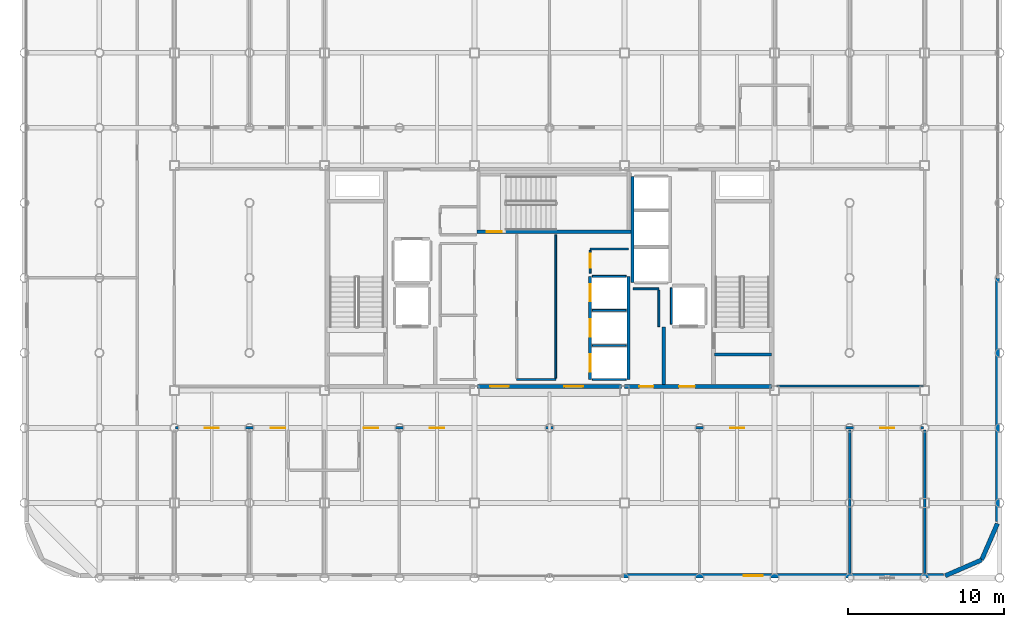
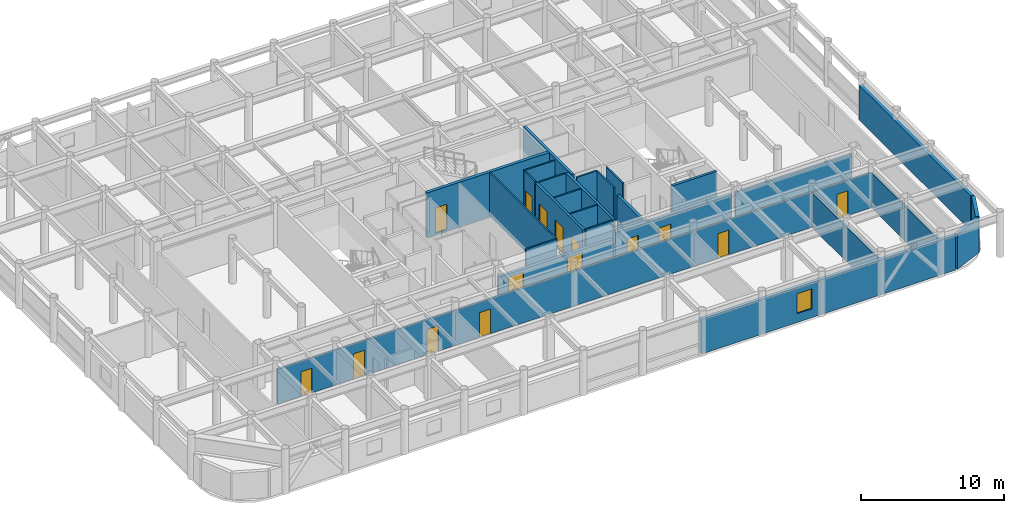
# One storey, part 19 of 22: 27 walls, 15 doors, 1 window, 16 openings.
"""IFC4 building model written with IfcOpenShell, lengths in metres."""

import ifcopenshell
import ifcopenshell.guid

model = None  # the IFC model being written
_history = None  # IfcOwnerHistory: only IFC2X3 demands one
_inside = {}  # id of a spatial element -> (the spatial element, [elements in it])
_under = {}  # id of a project, library or spatial element -> (it, [spatial elements below it])
_declared = {}  # id of a project -> (the project, [libraries it declares])
_typed = {}  # id of a type object -> (the type object, [elements of that type])
_made_of = {}  # id of a material, layer set ... -> (it, [elements and type objects made of it])


def new_model(schema):
    """Start an empty IFC model of exactly this schema.

    Asked for "IFC4X3", IfcOpenShell would pick the latest addendum, in which some entities
    have other attributes; the version numbers below select the first issue.
    IFC2X3 requires an IfcOwnerHistory on every rooted entity: one is made here for all.
    """
    global model, _history
    if schema == "IFC4X3":
        model = ifcopenshell.file(schema_version=(4, 3, 0, 0))
    else:
        model = ifcopenshell.file(schema=schema)
    _inside.clear()
    _under.clear()
    _declared.clear()
    _typed.clear()
    _made_of.clear()
    _history = None
    if model.schema == "IFC2X3":
        org = make("IfcOrganization", Name="unknown")
        user = make(
            "IfcPersonAndOrganization",
            ThePerson=make("IfcPerson", FamilyName="unknown"),
            TheOrganization=org,
        )
        app = make(
            "IfcApplication",
            ApplicationDeveloper=org,
            Version="unknown",
            ApplicationFullName="unknown",
            ApplicationIdentifier="unknown",
        )
        _history = make(
            "IfcOwnerHistory",
            OwningUser=user,
            OwningApplication=app,
            ChangeAction="ADDED",
            CreationDate=0,
        )
    return model


def make(cls, **values):
    """One entity of the class cls with the attributes given. An attribute that is None is left unset."""
    return model.create_entity(
        cls, **{name: value for name, value in values.items() if value is not None}
    )


def rooted(cls, **values):
    """An entity with a GlobalId (a new one), such as an element, a storey or a relation."""
    return make(cls, GlobalId=ifcopenshell.guid.new(), OwnerHistory=_history, **values)


def si_unit(unit_type, name, prefix=None):
    """IfcSIUnit, for example si_unit("LENGTHUNIT", "METRE", prefix="MILLI")."""
    return make("IfcSIUnit", UnitType=unit_type, Prefix=prefix, Name=name)


def assignment(units):
    """IfcUnitAssignment: the units of a project."""
    return None if units is None else make("IfcUnitAssignment", Units=units)


def point(xyz):
    """IfcCartesianPoint."""
    return None if xyz is None else make("IfcCartesianPoint", Coordinates=xyz)


def direction(xyz):
    """IfcDirection."""
    return None if xyz is None else make("IfcDirection", DirectionRatios=xyz)


def frame(location, z_axis=None, x_axis=None):
    """IfcAxis2Placement3D, a coordinate frame: its origin and axes. An axis left out is left unset."""
    return make(
        "IfcAxis2Placement3D",
        Location=point(location),
        Axis=direction(z_axis),
        RefDirection=direction(x_axis),
    )


def frame_2d(location, x_axis=None):
    """IfcAxis2Placement2D, a coordinate frame in the plane: its origin and x axis."""
    return make(
        "IfcAxis2Placement2D", Location=point(location), RefDirection=direction(x_axis)
    )


def origin():
    """The frame at (0, 0, 0) with its axes left unset."""
    return frame((0.0, 0.0, 0.0))


def place(relative_to, where):
    """IfcLocalPlacement: puts the frame where relative to a parent placement (None: the world)."""
    return make(
        "IfcLocalPlacement", PlacementRelTo=relative_to, RelativePlacement=where
    )


def context(
    kind, dimensions, precision=None, world=None, true_north=None, identifier=None
):
    """IfcGeometricRepresentationContext, for example the 3D "Model" context."""
    return make(
        "IfcGeometricRepresentationContext",
        ContextIdentifier=identifier,
        ContextType=kind,
        CoordinateSpaceDimension=dimensions,
        Precision=precision,
        WorldCoordinateSystem=world,
        TrueNorth=true_north,
    )


def subcontext(parent, identifier, kind, view, scale=None):
    """IfcGeometricRepresentationSubContext, for example "Body" below "Model"."""
    return make(
        "IfcGeometricRepresentationSubContext",
        ContextIdentifier=identifier,
        ContextType=kind,
        ParentContext=parent,
        TargetScale=scale,
        TargetView=view,
    )


def project(units=None, contexts=None):
    """IfcProject with its units and contexts."""
    return rooted(
        "IfcProject",
        Name="project",
        RepresentationContexts=contexts,
        UnitsInContext=assignment(units),
    )


def spatial(cls, under=None, at=None, **own):
    """A site, building, storey or space (cls), placed at a placement, below another one or the project."""
    s = rooted(cls, ObjectPlacement=at, **own)
    if under is not None:
        _under.setdefault(under.id(), (under, []))[1].append(s)
    return s


def profile(cls, at=None, kind="AREA", **sizes):
    """A parametric profile (cls). Its sizes go by their IFC names, for example OverallWidth=200.0."""
    return make(cls, ProfileType=kind, Position=at, **sizes)


def rectangle(**sizes):
    """IfcRectangleProfileDef."""
    return profile("IfcRectangleProfileDef", **sizes)


def extrude(swept, where, along, depth):
    """IfcExtrudedAreaSolid: the profile swept, set in the frame where, extruded along a direction by depth."""
    return make(
        "IfcExtrudedAreaSolid",
        SweptArea=swept,
        Position=where,
        ExtrudedDirection=direction(along),
        Depth=depth,
    )


def shape(context_of_items, identifier, shape_type, items):
    """IfcShapeRepresentation: the items that make up one representation, for example the "Body"."""
    return make(
        "IfcShapeRepresentation",
        ContextOfItems=context_of_items,
        RepresentationIdentifier=identifier,
        RepresentationType=shape_type,
        Items=items,
    )


def material(Name=None, Category=None):
    """IfcMaterial."""
    return make("IfcMaterial", Name=Name, Category=Category)


def layer(
    of_material, thickness, ventilated=None, Name=None, Category=None, Priority=None
):
    """IfcMaterialLayer: one layer of a wall or slab, of a material (None: an air gap)."""
    return make(
        "IfcMaterialLayer",
        Material=of_material,
        LayerThickness=thickness,
        IsVentilated=ventilated,
        Name=Name,
        Category=Category,
        Priority=Priority,
    )


def layer_set(layers, Name=None):
    """IfcMaterialLayerSet."""
    return make("IfcMaterialLayerSet", MaterialLayers=layers, LayerSetName=Name)


def made_of(thing, what):
    """Note that an element or type object is made of a material, layer set ...; save() writes the relation."""
    if what is not None:
        _made_of.setdefault(what.id(), (what, []))[1].append(thing)
    return thing


def type_object(cls, material=None, **own):
    """A type object (cls), such as IfcWallType, which elements share."""
    return made_of(rooted(cls, **own), material)


def element(
    cls,
    number,
    at=None,
    inside=None,
    cuts=None,
    type_object=None,
    material=None,
    context=None,
    identifier="Body",
    shape_type=None,
    held_by="IfcProductDefinitionShape",
    body=None,
    shapes=None,
    **own,
):
    """One element of the class cls, such as IfcWall. Its Tag is "e" and its number.

    at: its placement. inside: the storey or other place that contains it. cuts: it is an
    opening in that element (IfcRelVoidsElement). A single representation is given by context,
    identifier, shape_type and body (its items); several are given by shapes. held_by: the class
    of the entity that holds the representations. save() writes the other relations.
    """
    e = rooted(cls, Tag="e%d" % number, ObjectPlacement=at, **own)
    if body is not None:
        shapes = [shape(context, identifier, shape_type, body)]
    if shapes is not None:
        e.Representation = make(held_by, Representations=shapes)
    if inside is not None:
        _inside.setdefault(inside.id(), (inside, []))[1].append(e)
    if cuts is not None:
        rooted(
            "IfcRelVoidsElement", RelatingBuildingElement=cuts, RelatedOpeningElement=e
        )
    if type_object is not None:
        _typed.setdefault(type_object.id(), (type_object, []))[1].append(e)
    return made_of(e, material)


def fill(opening, filler):
    """IfcRelFillsElement: the door or window that sits in an opening."""
    return rooted(
        "IfcRelFillsElement",
        RelatingOpeningElement=opening,
        RelatedBuildingElement=filler,
    )


def aggregate(whole, parts):
    """IfcRelAggregates: a whole, such as a stair, and the parts it consists of."""
    return rooted("IfcRelAggregates", RelatingObject=whole, RelatedObjects=parts)


def save(model, path):
    """Write the relations noted so far, then the file.

    IfcRelAggregates (storeys below a building ...), IfcRelContainedInSpatialStructure (elements
    in a storey), IfcRelDefinesByType, IfcRelAssociatesMaterial and IfcRelDeclares: one each for
    every whole, place, type object, material and project.
    """
    for whole, parts in _under.values():
        aggregate(whole, parts)
    for where, things in _inside.values():
        rooted(
            "IfcRelContainedInSpatialStructure",
            RelatedElements=things,
            RelatingStructure=where,
        )
    for kind, things in _typed.values():
        rooted("IfcRelDefinesByType", RelatedObjects=things, RelatingType=kind)
    for what, things in _made_of.values():
        rooted("IfcRelAssociatesMaterial", RelatedObjects=things, RelatingMaterial=what)
    for by, libraries in _declared.values():
        rooted("IfcRelDeclares", RelatingContext=by, RelatedDefinitions=libraries)
    model.write(path)


model = new_model("IFC4")

# Units and contexts
model_context = context("Model", 3, precision=1e-05, world=origin(), true_north=direction((0.0, 1.0)))
body_context = subcontext(model_context, "Body", "Model", "MODEL_VIEW")
ifc_project = project(units=[si_unit("LENGTHUNIT", "METRE"), si_unit("AREAUNIT", "SQUARE_METRE"), si_unit("VOLUMEUNIT", "CUBIC_METRE"), si_unit("PLANEANGLEUNIT", "RADIAN"), si_unit("MASSUNIT", "GRAM", prefix="KILO")], contexts=[model_context])

# Site, building, storey
site_placement = place(None, origin())
site = spatial("IfcSite", under=ifc_project, at=site_placement, CompositionType="ELEMENT")
building_placement = place(site_placement, origin())
building = spatial("IfcBuilding", under=site, at=building_placement, Name="Kallvorn Hotel Tower", CompositionType="ELEMENT")
storey_placement = place(building_placement, frame((0.0, 0.0, 260.800048828125)))
storey = spatial("IfcBuildingStorey", under=building, at=storey_placement, Name="L65", CompositionType="ELEMENT", Elevation=260.800048828125)

# Wall, openings, doors
ifc_material_1 = material(Name="Fire-rated double-layer acoustic gypsum drywall EI 60")
ifc_layer_1 = layer(ifc_material_1, 0.159912109375)
ifc_layer_set_1 = layer_set([ifc_layer_1], Name="WL_DEMISE_160")
wall_type_1 = type_object("IfcWallType", Name="WL_DEMISE_160", PredefinedType="PARTITIONING", material=ifc_layer_set_1)
wall_1_placement = place(storey_placement, frame((-23.919921875, -9.60009765625, 0.0), z_axis=(0.0, 0.0, 1.0), x_axis=(1.0, 0.0, 0.0)))
wall_1 = element("IfcWall", 1, at=wall_1_placement, inside=storey, type_object=wall_type_1, Name="L65 Suite 6501 Superior Twin Room Partition", PredefinedType="PARTITIONING", context=body_context, shape_type="SweptSolid", body=[
    extrude(rectangle(XDim=47.83984375, YDim=0.159912109375, at=frame_2d((23.919921875, 0.0))), origin(), (0.0, 0.0, 1.0), 2.969970703125),
])
opening_1_placement = place(wall_1_placement, frame((1.8701171875, 0.0, 0.0)))
opening_1 = element("IfcOpeningElement", 2, at=opening_1_placement, cuts=wall_1, Name="Opening SVD1", PredefinedType="OPENING", context=body_context, shape_type="SweptSolid", body=[
    extrude(rectangle(XDim=0.89990234375, YDim=2.10009765625, at=frame_2d((0.449951171875, 1.050048828125))), frame((0.0, 0.094970703125, 0.0), z_axis=(0.0, -1.0, 0.0), x_axis=(1.0, 0.0, 0.0)), (0.0, 0.0, 1.0), 0.18994140625),
])
opening_2_placement = place(wall_1_placement, frame((45.070068359375, 0.0, 0.0)))
opening_2 = element("IfcOpeningElement", 3, at=opening_2_placement, cuts=wall_1, Name="Opening SVD1", PredefinedType="OPENING", context=body_context, shape_type="SweptSolid", body=[
    extrude(rectangle(XDim=0.89990234375, YDim=2.10009765625, at=frame_2d((0.449951171875, 1.050048828125))), frame((0.0, 0.094970703125, 0.0), z_axis=(0.0, -1.0, 0.0), x_axis=(1.0, 0.0, 0.0)), (0.0, 0.0, 1.0), 0.18994140625),
])
opening_3_placement = place(wall_1_placement, frame((6.090087890625, 0.0, 0.0)))
opening_3 = element("IfcOpeningElement", 4, at=opening_3_placement, cuts=wall_1, Name="Opening GD1", PredefinedType="OPENING", context=body_context, shape_type="SweptSolid", body=[
    extrude(rectangle(XDim=0.919921875, YDim=2.14990234375, at=frame_2d((0.4599609375, 1.074951171875))), frame((0.0, 0.094970703125, 0.0), z_axis=(0.0, -1.0, 0.0), x_axis=(1.0, 0.0, 0.0)), (0.0, 0.0, 1.0), 0.18994140625),
])
opening_4_placement = place(wall_1_placement, frame((12.030029296875, 0.0, 0.0)))
opening_4 = element("IfcOpeningElement", 5, at=opening_4_placement, cuts=wall_1, Name="Opening GD1", PredefinedType="OPENING", context=body_context, shape_type="SweptSolid", body=[
    extrude(rectangle(XDim=0.919921875, YDim=2.14990234375, at=frame_2d((0.4599609375, 1.074951171875))), frame((0.0, 0.094970703125, 0.0), z_axis=(0.0, -1.0, 0.0), x_axis=(1.0, 0.0, 0.0)), (0.0, 0.0, 1.0), 0.18994140625),
])
opening_5_placement = place(wall_1_placement, frame((16.27001953125, 0.0, 0.0)))
opening_5 = element("IfcOpeningElement", 6, at=opening_5_placement, cuts=wall_1, Name="Opening SVD1", PredefinedType="OPENING", context=body_context, shape_type="SweptSolid", body=[
    extrude(rectangle(XDim=0.89990234375, YDim=2.10009765625, at=frame_2d((0.449951171875, 1.050048828125))), frame((0.0, 0.094970703125, 0.0), z_axis=(0.0, -1.0, 0.0), x_axis=(1.0, 0.0, 0.0)), (0.0, 0.0, 1.0), 0.18994140625),
])
opening_6_placement = place(wall_1_placement, frame((35.469970703125, 0.0, 0.0)))
opening_6 = element("IfcOpeningElement", 7, at=opening_6_placement, cuts=wall_1, Name="Opening SVD1", PredefinedType="OPENING", context=body_context, shape_type="SweptSolid", body=[
    extrude(rectangle(XDim=0.89990234375, YDim=2.10009765625, at=frame_2d((0.449951171875, 1.050048828125))), frame((0.0, 0.094970703125, 0.0), z_axis=(0.0, -1.0, 0.0), x_axis=(1.0, 0.0, 0.0)), (0.0, 0.0, 1.0), 0.18994140625),
])
ifc_material_2 = material(Name="Solid-core walnut veneer fire-rated timber door leaf", Category="wood")
door_type_1 = type_object("IfcDoorType", Name="DR_GUEST_920x2150", OperationType="NOTDEFINED", PredefinedType="DOOR", material=ifc_material_2)
door_1_placement = place(opening_3_placement, origin())
door_1 = element("IfcDoor", 8, at=door_1_placement, inside=storey, type_object=door_type_1, Name="L65 Suite 6501 Superior Twin Room Door", OperationType="SINGLE_SWING_RIGHT", OverallHeight=2.14990234375, OverallWidth=0.919921875, PredefinedType="DOOR", context=body_context, shape_type="SweptSolid", body=[
    extrude(rectangle(XDim=0.919921875, YDim=2.14990234375, at=frame_2d((0.4599609375, 1.074951171875))), frame((0.0, 0.02490234375, 0.0), z_axis=(0.0, -1.0, 0.0), x_axis=(1.0, 0.0, 0.0)), (0.0, 0.0, 1.0), 0.050048828125),
])
fill(opening_3, door_1)
door_2_placement = place(opening_4_placement, origin())
door_2 = element("IfcDoor", 9, at=door_2_placement, inside=storey, type_object=door_type_1, Name="L65 Suite 6502 Superior Twin Room Door", OperationType="SINGLE_SWING_RIGHT", OverallHeight=2.14990234375, OverallWidth=0.919921875, PredefinedType="DOOR", context=body_context, shape_type="SweptSolid", body=[
    extrude(rectangle(XDim=0.919921875, YDim=2.14990234375, at=frame_2d((0.4599609375, 1.074951171875))), frame((0.0, 0.02490234375, 0.0), z_axis=(0.0, -1.0, 0.0), x_axis=(1.0, 0.0, 0.0)), (0.0, 0.0, 1.0), 0.050048828125),
])
fill(opening_4, door_2)
ifc_material_3 = material(Name="Galvanised painted steel fire-rated door assembly", Category="steel")
door_type_2 = type_object("IfcDoorType", Name="DR_SERV_900x2100", OperationType="NOTDEFINED", PredefinedType="DOOR", material=ifc_material_3)
door_3_placement = place(opening_1_placement, origin())
door_3 = element("IfcDoor", 10, at=door_3_placement, inside=storey, type_object=door_type_2, Name="L65 L65 High-Zone South-West Tea Bar Door", OperationType="SINGLE_SWING_RIGHT", OverallHeight=2.10009765625, OverallWidth=0.89990234375, PredefinedType="DOOR", context=body_context, shape_type="SweptSolid", body=[
    extrude(rectangle(XDim=0.89990234375, YDim=2.10009765625, at=frame_2d((0.449951171875, 1.050048828125))), frame((0.0, 0.02490234375, 0.0), z_axis=(0.0, -1.0, 0.0), x_axis=(1.0, 0.0, 0.0)), (0.0, 0.0, 1.0), 0.050048828125),
])
fill(opening_1, door_3)
door_4_placement = place(opening_2_placement, origin())
door_4 = element("IfcDoor", 11, at=door_4_placement, inside=storey, type_object=door_type_2, Name="L65 L65 High-Zone South-East Wine Bar Door", OperationType="SINGLE_SWING_LEFT", OverallHeight=2.10009765625, OverallWidth=0.89990234375, PredefinedType="DOOR", context=body_context, shape_type="SweptSolid", body=[
    extrude(rectangle(XDim=0.89990234375, YDim=2.10009765625, at=frame_2d((0.449951171875, 1.050048828125))), frame((0.0, 0.02490234375, 0.0), z_axis=(0.0, -1.0, 0.0), x_axis=(1.0, 0.0, 0.0)), (0.0, 0.0, 1.0), 0.050048828125),
])
fill(opening_2, door_4)
door_5_placement = place(opening_5_placement, origin())
door_5 = element("IfcDoor", 12, at=door_5_placement, inside=storey, type_object=door_type_2, Name="L65 L65 Restaurant Culinary Catering Kitchen 3 Door", OperationType="SINGLE_SWING_RIGHT", OverallHeight=2.10009765625, OverallWidth=0.89990234375, PredefinedType="DOOR", context=body_context, shape_type="SweptSolid", body=[
    extrude(rectangle(XDim=0.89990234375, YDim=2.10009765625, at=frame_2d((0.449951171875, 1.050048828125))), frame((0.0, 0.02490234375, 0.0), z_axis=(0.0, -1.0, 0.0), x_axis=(1.0, 0.0, 0.0)), (0.0, 0.0, 1.0), 0.050048828125),
])
fill(opening_5, door_5)
door_6_placement = place(opening_6_placement, origin())
door_6 = element("IfcDoor", 13, at=door_6_placement, inside=storey, type_object=door_type_2, Name="L65 L65 Executive Collectors Library Club 4 Door", OperationType="SINGLE_SWING_LEFT", OverallHeight=2.10009765625, OverallWidth=0.89990234375, PredefinedType="DOOR", context=body_context, shape_type="SweptSolid", body=[
    extrude(rectangle(XDim=0.89990234375, YDim=2.10009765625, at=frame_2d((0.449951171875, 1.050048828125))), frame((0.0, 0.02490234375, 0.0), z_axis=(0.0, -1.0, 0.0), x_axis=(1.0, 0.0, 0.0)), (0.0, 0.0, 1.0), 0.050048828125),
])
fill(opening_6, door_6)

# Walls
ifc_material_4 = material(Name="Precast basalt-clad insulated concrete wall C40/50", Category="masonry")
ifc_layer_2 = layer(ifc_material_4, 0.280029296875)
ifc_layer_set_2 = layer_set([ifc_layer_2], Name="WL_EXT_LOGGIA_280")
wall_type_2 = type_object("IfcWallType", Name="WL_EXT_LOGGIA_280", PredefinedType="SOLIDWALL", material=ifc_layer_set_2)
wall_2_placement = place(storey_placement, frame((25.32080078125, -19.057861328125, 0.0), z_axis=(0.0, 0.0, 1.0), x_axis=(0.917060872934, 0.398747232384, 0.0)))
element("IfcWall", 14, at=wall_2_placement, inside=storey, type_object=wall_type_2, Name="L65 Rounded Corner Exterior Wall SE1", PredefinedType="SOLIDWALL", context=body_context, shape_type="SweptSolid", body=[
    extrude(rectangle(XDim=2.5361328125, YDim=0.280029296875, at=frame_2d((1.26806640625, 0.0))), origin(), (0.0, 0.0, 1.0), 2.969970703125),
])
wall_3_placement = place(storey_placement, frame((27.646484375, -18.046630859375, 0.0), z_axis=(0.0, 0.0, 1.0), x_axis=(0.398792985289, 0.917040977756, 0.0)))
element("IfcWall", 15, at=wall_3_placement, inside=storey, type_object=wall_type_2, Name="L65 Rounded Corner Exterior Wall SE2", PredefinedType="SOLIDWALL", context=body_context, shape_type="SweptSolid", body=[
    extrude(rectangle(XDim=2.536376953125, YDim=0.280029296875, at=frame_2d((1.26806640625, 0.0))), origin(), (0.0, 0.0, 1.0), 3.02001953125),
])

# Wall, opening, window
wall_4_placement = place(storey_placement, frame((4.75, -19.06005859375, 0.0), z_axis=(0.0, 0.0, 1.0), x_axis=(1.0, 0.0, 0.0)))
wall_4 = element("IfcWall", 16, at=wall_4_placement, inside=storey, type_object=wall_type_2, Name="L65 Exterior Envelope Wall EW-L65-SE", PredefinedType="SOLIDWALL", context=body_context, shape_type="SweptSolid", body=[
    extrude(rectangle(XDim=20.449951171875, YDim=0.280029296875, at=frame_2d((10.22509765625, 0.0))), origin(), (0.0, 0.0, 1.0), 2.969970703125),
])
opening_7_placement = place(wall_4_placement, frame((7.68408203125, 0.0, 0.75)))
opening_7 = element("IfcOpeningElement", 17, at=opening_7_placement, cuts=wall_4, Name="Opening W06", PredefinedType="OPENING", context=body_context, shape_type="SweptSolid", body=[
    extrude(rectangle(XDim=1.199951171875, YDim=1.699951171875, at=frame_2d((0.60009765625, 0.85009765625))), frame((0.0, 0.155029296875, 0.0), z_axis=(0.0, -1.0, 0.0), x_axis=(1.0, 0.0, 0.0)), (0.0, 0.0, 1.0), 0.31005859375),
])
ifc_material_5 = material(Name="Triple-glazed low-e acoustic solar-control dark glass", Category="glass")
window_type = type_object("IfcWindowType", Name="WN_HTL_1200x1700", PartitioningType="SINGLE_PANEL", PredefinedType="WINDOW", material=ifc_material_5)
window_placement = place(opening_7_placement, origin())
window = element("IfcWindow", 18, at=window_placement, inside=storey, type_object=window_type, Name="L65 Guestroom Exterior Window 06", OverallHeight=1.699951171875, OverallWidth=1.199951171875, PartitioningType="SINGLE_PANEL", PredefinedType="WINDOW", context=body_context, shape_type="SweptSolid", body=[
    extrude(rectangle(XDim=1.199951171875, YDim=1.699951171875, at=frame_2d((0.60009765625, 0.85009765625))), frame((0.0, 0.030029296875, 0.0), z_axis=(0.0, -1.0, 0.0), x_axis=(1.0, 0.0, 0.0)), (0.0, 0.0, 1.0), 0.06005859375),
])
fill(opening_7, window)

# Walls
wall_5_placement = place(storey_placement, frame((28.659912109375, -15.60009765625, 0.0), z_axis=(0.0, 0.0, 1.0), x_axis=(0.0, 1.0, 0.0)))
element("IfcWall", 19, at=wall_5_placement, inside=storey, type_object=wall_type_2, Name="L65 Exterior Envelope Wall EW-L65-ES", PredefinedType="SOLIDWALL", context=body_context, shape_type="SweptSolid", body=[
    extrude(rectangle(XDim=15.580078125, YDim=0.280029296875, at=frame_2d((7.7900390625, 0.0))), origin(), (0.0, 0.0, 1.0), 2.969970703125),
])
ifc_material_6 = material(Name="Concrete C40/50", Category="concrete")
ifc_layer_3 = layer(ifc_material_6, 0.219970703125)
ifc_layer_set_3 = layer_set([ifc_layer_3], Name="WL_FFL_220")
wall_type_3 = type_object("IfcWallType", Name="WL_FFL_220", PredefinedType="SOLIDWALL", material=ifc_layer_set_3)
wall_6_placement = place(storey_placement, frame((7.300048828125, -6.820068359375, 0.0), z_axis=(0.0, 0.0, 1.0), x_axis=(0.0, 1.0, 0.0)))
element("IfcWall", 20, at=wall_6_placement, inside=storey, type_object=wall_type_3, Name="L65 Firefighting Lobby East Divider Wall", PredefinedType="SOLIDWALL", context=body_context, shape_type="SweptSolid", body=[
    extrude(rectangle(XDim=3.670166015625, YDim=0.219970703125, at=frame_2d((1.8349609375, 0.0))), origin(), (0.0, 0.0, 1.0), 2.969970703125),
])
ifc_material_7 = material(Name="Concrete C40/50", Category="concrete")
ifc_layer_4 = layer(ifc_material_7, 0.199951171875)
ifc_layer_set_4 = layer_set([ifc_layer_4], Name="WL_HOIST_200")
wall_type_4 = type_object("IfcWallType", Name="WL_HOIST_200", PredefinedType="SOLIDWALL", material=ifc_layer_set_4)
wall_7_placement = place(storey_placement, frame((10.550048828125, -4.89990234375, -0.179931640625), z_axis=(0.0, 0.0, 1.0), x_axis=(1.0, 0.0, 0.0)))
element("IfcWall", 21, at=wall_7_placement, inside=storey, type_object=wall_type_4, Name="L65 Stair ST2 South Wall", PredefinedType="SOLIDWALL", context=body_context, shape_type="SweptSolid", body=[
    extrude(rectangle(XDim=3.64990234375, YDim=0.199951171875, at=frame_2d((1.824951171875, 0.0))), origin(), (0.0, 0.0, 1.0), 3.849853515625),
])

# Wall, openings, doors
wall_8_placement = place(storey_placement, frame((2.60009765625, -6.5, 0.0), z_axis=(0.0, 0.0, 1.0), x_axis=(0.0, 1.0, 0.0)))
wall_8 = element("IfcWall", 22, at=wall_8_placement, inside=storey, type_object=wall_type_4, Name="L65 Lift Bank B3A Landing Wall", PredefinedType="SOLIDWALL", context=body_context, shape_type="SweptSolid", body=[
    extrude(rectangle(XDim=6.60009765625, YDim=0.199951171875, at=frame_2d((3.300048828125, 0.0))), origin(), (0.0, 0.0, 1.0), 3.669921875),
])
opening_8_placement = place(wall_8_placement, frame((0.5, 0.0, 0.0)))
opening_8 = element("IfcOpeningElement", 23, at=opening_8_placement, cuts=wall_8, Name="Opening LD-PL-09", PredefinedType="OPENING", context=body_context, shape_type="SweptSolid", body=[
    extrude(rectangle(XDim=1.10009765625, YDim=2.199951171875, at=frame_2d((0.550048828125, 1.10009765625))), frame((0.0, 0.114990234375, 0.0), z_axis=(0.0, -1.0, 0.0), x_axis=(1.0, 0.0, 0.0)), (0.0, 0.0, 1.0), 0.22998046875),
])
opening_9_placement = place(wall_8_placement, frame((2.75, 0.0, 0.0)))
opening_9 = element("IfcOpeningElement", 24, at=opening_9_placement, cuts=wall_8, Name="Opening LD-PL-10", PredefinedType="OPENING", context=body_context, shape_type="SweptSolid", body=[
    extrude(rectangle(XDim=1.10009765625, YDim=2.199951171875, at=frame_2d((0.550048828125, 1.10009765625))), frame((0.0, 0.114990234375, 0.0), z_axis=(0.0, -1.0, 0.0), x_axis=(1.0, 0.0, 0.0)), (0.0, 0.0, 1.0), 0.22998046875),
])
opening_10_placement = place(wall_8_placement, frame((5.0, 0.0, 0.0)))
opening_10 = element("IfcOpeningElement", 25, at=opening_10_placement, cuts=wall_8, Name="Opening LD-PL-11", PredefinedType="OPENING", context=body_context, shape_type="SweptSolid", body=[
    extrude(rectangle(XDim=1.10009765625, YDim=2.199951171875, at=frame_2d((0.550048828125, 1.10009765625))), frame((0.0, 0.114990234375, 0.0), z_axis=(0.0, -1.0, 0.0), x_axis=(1.0, 0.0, 0.0)), (0.0, 0.0, 1.0), 0.22998046875),
])
ifc_material_8 = material(Name="Brushed stainless-steel automatic sliding lift landing door", Category="steel")
door_type_3 = type_object("IfcDoorType", Name="LD_PASS_1100x2200", OperationType="SLIDING_TO_LEFT", PredefinedType="DOOR", material=ifc_material_8)
door_7_placement = place(opening_8_placement, origin())
door_7 = element("IfcDoor", 26, at=door_7_placement, inside=storey, type_object=door_type_3, Name="L65 Lift Landing Sliding Door LD-PL-09", OperationType="SLIDING_TO_LEFT", OverallHeight=2.199951171875, OverallWidth=1.10009765625, PredefinedType="DOOR", context=body_context, shape_type="SweptSolid", body=[
    extrude(rectangle(XDim=1.10009765625, YDim=2.199951171875, at=frame_2d((0.550048828125, 1.10009765625))), frame((0.0, 0.02490234375, 0.0), z_axis=(0.0, -1.0, 0.0), x_axis=(1.0, 0.0, 0.0)), (0.0, 0.0, 1.0), 0.050048828125),
])
fill(opening_8, door_7)
door_8_placement = place(opening_9_placement, origin())
door_8 = element("IfcDoor", 27, at=door_8_placement, inside=storey, type_object=door_type_3, Name="L65 Lift Landing Sliding Door LD-PL-10", OperationType="SLIDING_TO_LEFT", OverallHeight=2.199951171875, OverallWidth=1.10009765625, PredefinedType="DOOR", context=body_context, shape_type="SweptSolid", body=[
    extrude(rectangle(XDim=1.10009765625, YDim=2.199951171875, at=frame_2d((0.550048828125, 1.10009765625))), frame((0.0, 0.02490234375, 0.0), z_axis=(0.0, -1.0, 0.0), x_axis=(1.0, 0.0, 0.0)), (0.0, 0.0, 1.0), 0.050048828125),
])
fill(opening_9, door_8)
door_9_placement = place(opening_10_placement, origin())
door_9 = element("IfcDoor", 28, at=door_9_placement, inside=storey, type_object=door_type_3, Name="L65 Lift Landing Sliding Door LD-PL-11", OperationType="SLIDING_TO_LEFT", OverallHeight=2.199951171875, OverallWidth=1.10009765625, PredefinedType="DOOR", context=body_context, shape_type="SweptSolid", body=[
    extrude(rectangle(XDim=1.10009765625, YDim=2.199951171875, at=frame_2d((0.550048828125, 1.10009765625))), frame((0.0, 0.02490234375, 0.0), z_axis=(0.0, -1.0, 0.0), x_axis=(1.0, 0.0, 0.0)), (0.0, 0.0, 1.0), 0.050048828125),
])
fill(opening_10, door_9)

# Walls
wall_9_placement = place(storey_placement, frame((5.050048828125, -6.5, 0.0), z_axis=(0.0, 0.0, 1.0), x_axis=(0.0, 1.0, 0.0)))
element("IfcWall", 29, at=wall_9_placement, inside=storey, type_object=wall_type_4, Name="L65 Lift Bank B3A Rear Shaft Wall", PredefinedType="SOLIDWALL", context=body_context, shape_type="SweptSolid", body=[
    extrude(rectangle(XDim=6.60009765625, YDim=0.199951171875, at=frame_2d((3.300048828125, 0.0))), origin(), (0.0, 0.0, 1.0), 3.669921875),
])
wall_10_placement = place(storey_placement, frame((5.300048828125, -0.300048828125, 0.0), z_axis=(0.0, 0.0, 1.0), x_axis=(0.0, 1.0, 0.0)))
element("IfcWall", 30, at=wall_10_placement, inside=storey, type_object=wall_type_4, Name="L65 Lift Bank OBS Rear Shaft Wall", PredefinedType="SOLIDWALL", context=body_context, shape_type="SweptSolid", body=[
    extrude(rectangle(XDim=6.800048828125, YDim=0.199951171875, at=frame_2d((3.39990234375, 0.0))), origin(), (0.0, 0.0, 1.0), 3.669921875),
])
ifc_material_9 = material(Name="Fire-rated double-layer acoustic gypsum drywall EI 60")
ifc_layer_5 = layer(ifc_material_9, 0.1201171875)
ifc_layer_set_5 = layer_set([ifc_layer_5], Name="WL_INT_120")
wall_type_5 = type_object("IfcWallType", Name="WL_INT_120", PredefinedType="PARTITIONING", material=ifc_layer_set_5)
for number, where, z_axis, x_axis, name in (
    (31, (2.739990234375, -6.5, 0.0), (0.0, 0.0, 1.0), (1.0, 0.0, 0.0), "L65 Lift Bank B3A South Closure Wall"),
    (32, (2.739990234375, -4.324951171875, 0.0), (0.0, 0.0, 1.0), (1.0, 0.0, 0.0), "L65 PL-09 Hoistway Divider"),
    (33, (2.739990234375, -2.074951171875, 0.0), (0.0, 0.0, 1.0), (1.0, 0.0, 0.0), "L65 PL-10 Hoistway Divider"),
    (34, (2.739990234375, 0.10009765625, 0.0), (0.0, 0.0, 1.0), (1.0, 0.0, 0.0), "L65 PL-11 Hoistway Divider"),
):
    element("IfcWall", number, at=place(storey_placement, frame(where, z_axis=z_axis, x_axis=x_axis)), inside=storey, type_object=wall_type_5, Name=name, PredefinedType="PARTITIONING", context=body_context, shape_type="SweptSolid", body=[
        extrude(rectangle(XDim=2.169921875, YDim=0.1201171875, at=frame_2d((1.0849609375, 0.0))), origin(), (0.0, 0.0, 1.0), 3.669921875),
    ])
wall_11_placement = place(storey_placement, frame((7.800048828125, -2.9599609375, 0.0), z_axis=(0.0, 0.0, 1.0), x_axis=(0.0, 1.0, 0.0)))
element("IfcWall", 35, at=wall_11_placement, inside=storey, type_object=wall_type_5, Name="L65 FL-2 West Shaft Wall", PredefinedType="PARTITIONING", context=body_context, shape_type="SweptSolid", body=[
    extrude(rectangle(XDim=2.320068359375, YDim=0.1201171875, at=frame_2d((1.16015625, 0.0))), origin(), (0.0, 0.0, 1.0), 3.669921875),
])
wall_12_placement = place(storey_placement, frame((-2.10009765625, -6.5, 0.0), z_axis=(0.0, 0.0, 1.0), x_axis=(1.0, 0.0, 0.0)))
element("IfcWall", 36, at=wall_12_placement, inside=storey, type_object=wall_type_5, Name="L65 Altitude Executive Pantry and Ice Room Partition", PredefinedType="PARTITIONING", context=body_context, shape_type="SweptSolid", body=[
    extrude(rectangle(XDim=2.5, YDim=0.1201171875, at=frame_2d((1.25, 0.0))), origin(), (0.0, 0.0, 1.0), 3.669921875),
])
wall_13_placement = place(storey_placement, frame((5.35009765625, -0.699951171875, 0.0), z_axis=(0.0, 0.0, 1.0), x_axis=(1.0, 0.0, 0.0)))
element("IfcWall", 37, at=wall_13_placement, inside=storey, type_object=wall_type_5, Name="L65 Core Utility and Meter Room Partition", PredefinedType="PARTITIONING", context=body_context, shape_type="SweptSolid", body=[
    extrude(rectangle(XDim=1.64990234375, YDim=0.1201171875, at=frame_2d((0.824951171875, 0.0))), origin(), (0.0, 0.0, 1.0), 3.669921875),
])
wall_14_placement = place(storey_placement, frame((2.60009765625, 1.85009765625, 0.0), z_axis=(0.0, 0.0, 1.0), x_axis=(1.0, 0.0, 0.0)))
element("IfcWall", 38, at=wall_14_placement, inside=storey, type_object=wall_type_5, Name="L65 East Core Ice Pantry Partition", PredefinedType="PARTITIONING", context=body_context, shape_type="SweptSolid", body=[
    extrude(rectangle(XDim=2.449951171875, YDim=0.1201171875, at=frame_2d((1.22509765625, 0.0))), origin(), (0.0, 0.0, 1.0), 3.669921875),
])
wall_15_placement = place(storey_placement, frame((0.39990234375, -6.4150390625, 0.0), z_axis=(0.0, 0.0, 1.0), x_axis=(0.0, 1.0, 0.0)))
element("IfcWall", 39, at=wall_15_placement, inside=storey, type_object=wall_type_5, Name="L65 Altitude Executive Pantry and Ice Room Partition", PredefinedType="PARTITIONING", context=body_context, shape_type="SweptSolid", body=[
    extrude(rectangle(XDim=9.1650390625, YDim=0.1201171875, at=frame_2d((4.58251953125, 0.0))), origin(), (0.0, 0.0, 1.0), 3.669921875),
])

# Wall, opening, door
wall_16_placement = place(storey_placement, frame((2.60009765625, 0.300048828125, 0.0), z_axis=(0.0, 0.0, 1.0), x_axis=(0.0, 1.0, 0.0)))
wall_16 = element("IfcWall", 40, at=wall_16_placement, inside=storey, type_object=wall_type_5, Name="L65 East Core Ice Pantry Partition", PredefinedType="PARTITIONING", context=body_context, shape_type="SweptSolid", body=[
    extrude(rectangle(XDim=1.46484375, YDim=0.1201171875, at=frame_2d((0.732421875, 0.0))), origin(), (0.0, 0.0, 1.0), 3.669921875),
])
opening_11_placement = place(wall_16_placement, frame((0.344970703125, 0.0, 0.0)))
opening_11 = element("IfcOpeningElement", 41, at=opening_11_placement, cuts=wall_16, Name="Opening SVD1", PredefinedType="OPENING", context=body_context, shape_type="SweptSolid", body=[
    extrude(rectangle(XDim=0.89990234375, YDim=2.10009765625, at=frame_2d((0.449951171875, 1.050048828125))), frame((0.0, 0.074951171875, 0.0), z_axis=(0.0, -1.0, 0.0), x_axis=(1.0, 0.0, 0.0)), (0.0, 0.0, 1.0), 0.150146484375),
])
door_10_placement = place(opening_11_placement, origin())
door_10 = element("IfcDoor", 42, at=door_10_placement, inside=storey, type_object=door_type_2, Name="L65 East Core Ice Pantry Door", OperationType="SINGLE_SWING_RIGHT", OverallHeight=2.10009765625, OverallWidth=0.89990234375, PredefinedType="DOOR", context=body_context, shape_type="SweptSolid", body=[
    extrude(rectangle(XDim=0.89990234375, YDim=2.10009765625, at=frame_2d((0.449951171875, 1.050048828125))), frame((0.0, 0.02490234375, 0.0), z_axis=(0.0, -1.0, 0.0), x_axis=(1.0, 0.0, 0.0)), (0.0, 0.0, 1.0), 0.050048828125),
])
fill(opening_11, door_10)

# Walls
wall_17_placement = place(storey_placement, frame((7.0, -3.110107421875, 0.0), z_axis=(0.0, 0.0, 1.0), x_axis=(0.0, 1.0, 0.0)))
element("IfcWall", 43, at=wall_17_placement, inside=storey, type_object=wall_type_5, Name="L65 Core Utility and Meter Room Partition", PredefinedType="PARTITIONING", context=body_context, shape_type="SweptSolid", body=[
    extrude(rectangle(XDim=2.3251953125, YDim=0.1201171875, at=frame_2d((1.16259765625, 0.0))), origin(), (0.0, 0.0, 1.0), 3.669921875),
])
ifc_material_10 = material(Name="Fire-rated double-layer acoustic gypsum drywall EI 60")
ifc_layer_6 = layer(ifc_material_10, 0.14990234375)
ifc_layer_set_6 = layer_set([ifc_layer_6], Name="WL_PART_150")
wall_type_6 = type_object("IfcWallType", Name="WL_PART_150", PredefinedType="PARTITIONING", material=ifc_layer_set_6)
wall_18_placement = place(storey_placement, frame((14.52001953125, -6.919921875, 0.0), z_axis=(0.0, 0.0, 1.0), x_axis=(1.0, 0.0, 0.0)))
element("IfcWall", 44, at=wall_18_placement, inside=storey, type_object=wall_type_6, Name="L65 L65 High-Zone Inner East Club Gallery Partition", PredefinedType="PARTITIONING", context=body_context, shape_type="SweptSolid", body=[
    extrude(rectangle(XDim=9.39990234375, YDim=0.14990234375, at=frame_2d((4.699951171875, 0.0))), origin(), (0.0, 0.0, 1.0), 2.969970703125),
])
for number, where, z_axis, x_axis, name in (
    (45, (19.199951171875, -18.909912109375, 0.0), (0.0, 0.0, 1.0), (0.0, 1.0, 0.0), "L65 L65 Executive Collectors Library Club 4 Partition"),
    (46, (24.0, -18.909912109375, 0.0), (0.0, 0.0, 1.0), (0.0, 1.0, 0.0), "L65 L65 High-Zone South-East Wine Bar Partition"),
):
    element("IfcWall", number, at=place(storey_placement, frame(where, z_axis=z_axis, x_axis=x_axis)), inside=storey, type_object=wall_type_6, Name=name, PredefinedType="PARTITIONING", context=body_context, shape_type="SweptSolid", body=[
        extrude(rectangle(XDim=9.18994140625, YDim=0.14990234375, at=frame_2d((4.594970703125, 0.0))), origin(), (0.0, 0.0, 1.0), 2.969970703125),
    ])

# Wall, openings, doors
ifc_material_11 = material(Name="Concrete C40/50", Category="concrete")
ifc_layer_7 = layer(ifc_material_11, 0.25)
ifc_layer_set_7 = layer_set([ifc_layer_7], Name="WL_SHAFT_250")
wall_type_7 = type_object("IfcWallType", Name="WL_SHAFT_250", PredefinedType="SOLIDWALL", material=ifc_layer_set_7)
wall_19_placement = place(storey_placement, frame((-4.60009765625, -6.949951171875, 0.0), z_axis=(0.0, 0.0, 1.0), x_axis=(1.0, 0.0, 0.0)))
wall_19 = element("IfcWall", 47, at=wall_19_placement, inside=storey, type_object=wall_type_7, Name="L65 Core South-Central Wall", PredefinedType="SOLIDWALL", context=body_context, shape_type="SweptSolid", body=[
    extrude(rectangle(XDim=9.2001953125, YDim=0.25, at=frame_2d((4.60009765625, 0.0))), origin(), (0.0, 0.0, 1.0), 2.469970703125),
])
opening_12_placement = place(wall_19_placement, frame((0.800048828125, 0.0, 0.0)))
opening_12 = element("IfcOpeningElement", 48, at=opening_12_placement, cuts=wall_19, Name="Opening FD2", PredefinedType="OPENING", context=body_context, shape_type="SweptSolid", body=[
    extrude(rectangle(XDim=1.199951171875, YDim=2.199951171875, at=frame_2d((0.60009765625, 1.10009765625))), frame((0.0, 0.139892578125, 0.0), z_axis=(0.0, -1.0, 0.0), x_axis=(1.0, 0.0, 0.0)), (0.0, 0.0, 1.0), 0.280029296875),
])
opening_13_placement = place(wall_19_placement, frame((5.550048828125, 0.0, 0.0)))
opening_13 = element("IfcOpeningElement", 49, at=opening_13_placement, cuts=wall_19, Name="Opening FD2", PredefinedType="OPENING", context=body_context, shape_type="SweptSolid", body=[
    extrude(rectangle(XDim=1.199951171875, YDim=2.199951171875, at=frame_2d((0.60009765625, 1.10009765625))), frame((0.0, 0.139892578125, 0.0), z_axis=(0.0, -1.0, 0.0), x_axis=(1.0, 0.0, 0.0)), (0.0, 0.0, 1.0), 0.280029296875),
])
ifc_material_12 = material(Name="Galvanised painted steel fire-rated door assembly", Category="steel")
door_type_4 = type_object("IfcDoorType", Name="DR_LOBBY_1200x2200", OperationType="DOUBLE_DOOR_SINGLE_SWING", PredefinedType="DOOR", material=ifc_material_12)
door_11_placement = place(opening_12_placement, origin())
door_11 = element("IfcDoor", 50, at=door_11_placement, inside=storey, type_object=door_type_4, Name="L65 West Passenger Lift Lobby Door", OperationType="DOUBLE_DOOR_SINGLE_SWING", OverallHeight=2.199951171875, OverallWidth=1.199951171875, PredefinedType="DOOR", context=body_context, shape_type="SweptSolid", body=[
    extrude(rectangle(XDim=1.199951171875, YDim=2.199951171875, at=frame_2d((0.60009765625, 1.10009765625))), frame((0.0, 0.02490234375, 0.0), z_axis=(0.0, -1.0, 0.0), x_axis=(1.0, 0.0, 0.0)), (0.0, 0.0, 1.0), 0.050048828125),
])
fill(opening_12, door_11)
door_12_placement = place(opening_13_placement, origin())
door_12 = element("IfcDoor", 51, at=door_12_placement, inside=storey, type_object=door_type_4, Name="L65 East Passenger Lift Lobby Door", OperationType="DOUBLE_DOOR_SINGLE_SWING", OverallHeight=2.199951171875, OverallWidth=1.199951171875, PredefinedType="DOOR", context=body_context, shape_type="SweptSolid", body=[
    extrude(rectangle(XDim=1.199951171875, YDim=2.199951171875, at=frame_2d((0.60009765625, 1.10009765625))), frame((0.0, 0.02490234375, 0.0), z_axis=(0.0, -1.0, 0.0), x_axis=(1.0, 0.0, 0.0)), (0.0, 0.0, 1.0), 0.050048828125),
])
fill(opening_13, door_12)

wall_20_placement = place(storey_placement, frame((4.800048828125, -6.949951171875, 0.0), z_axis=(0.0, 0.0, 1.0), x_axis=(1.0, 0.0, 0.0)))
wall_20 = element("IfcWall", 52, at=wall_20_placement, inside=storey, type_object=wall_type_7, Name="L65 Core South-East Wall", PredefinedType="SOLIDWALL", context=body_context, shape_type="SweptSolid", body=[
    extrude(rectangle(XDim=9.39990234375, YDim=0.25, at=frame_2d((4.699951171875, 0.0))), origin(), (0.0, 0.0, 1.0), 2.969970703125),
])
opening_14_placement = place(wall_20_placement, frame((3.5, 0.0, 0.0)))
opening_14 = element("IfcOpeningElement", 53, at=opening_14_placement, cuts=wall_20, Name="Opening FD1", PredefinedType="OPENING", context=body_context, shape_type="SweptSolid", body=[
    extrude(rectangle(XDim=1.0, YDim=2.14990234375, at=frame_2d((0.5, 1.074951171875))), frame((0.0, 0.139892578125, 0.0), z_axis=(0.0, -1.0, 0.0), x_axis=(1.0, 0.0, 0.0)), (0.0, 0.0, 1.0), 0.280029296875),
])
opening_15_placement = place(wall_20_placement, frame((0.949951171875, 0.0, 0.0)))
opening_15 = element("IfcOpeningElement", 54, at=opening_15_placement, cuts=wall_20, Name="Opening SVD1", PredefinedType="OPENING", context=body_context, shape_type="SweptSolid", body=[
    extrude(rectangle(XDim=0.89990234375, YDim=2.10009765625, at=frame_2d((0.449951171875, 1.050048828125))), frame((0.0, 0.139892578125, 0.0), z_axis=(0.0, -1.0, 0.0), x_axis=(1.0, 0.0, 0.0)), (0.0, 0.0, 1.0), 0.280029296875),
])
ifc_material_13 = material(Name="Galvanised painted steel fire-rated door assembly", Category="steel")
door_type_5 = type_object("IfcDoorType", Name="DR_FFL_1000x2150", OperationType="NOTDEFINED", PredefinedType="DOOR", material=ifc_material_13)
door_13_placement = place(opening_14_placement, origin())
door_13 = element("IfcDoor", 55, at=door_13_placement, inside=storey, type_object=door_type_5, Name="L65 Firefighting Lobby East Door", OperationType="SINGLE_SWING_RIGHT", OverallHeight=2.14990234375, OverallWidth=1.0, PredefinedType="DOOR", context=body_context, shape_type="SweptSolid", body=[
    extrude(rectangle(XDim=1.0, YDim=2.14990234375, at=frame_2d((0.5, 1.074951171875))), frame((0.0, 0.02490234375, 0.0), z_axis=(0.0, -1.0, 0.0), x_axis=(1.0, 0.0, 0.0)), (0.0, 0.0, 1.0), 0.050048828125),
])
fill(opening_14, door_13)
door_14_placement = place(opening_15_placement, origin())
door_14 = element("IfcDoor", 56, at=door_14_placement, inside=storey, type_object=door_type_2, Name="L65 Core Utility and Meter Room Door", OperationType="SINGLE_SWING_LEFT", OverallHeight=2.10009765625, OverallWidth=0.89990234375, PredefinedType="DOOR", context=body_context, shape_type="SweptSolid", body=[
    extrude(rectangle(XDim=0.89990234375, YDim=2.10009765625, at=frame_2d((0.449951171875, 1.050048828125))), frame((0.0, 0.02490234375, 0.0), z_axis=(0.0, -1.0, 0.0), x_axis=(1.0, 0.0, 0.0)), (0.0, 0.0, 1.0), 0.050048828125),
])
fill(opening_15, door_14)

# Wall, opening, door
wall_21_placement = place(storey_placement, frame((-4.64990234375, 2.949951171875, -0.179931640625), z_axis=(0.0, 0.0, 1.0), x_axis=(1.0, 0.0, 0.0)))
wall_21 = element("IfcWall", 57, at=wall_21_placement, inside=storey, type_object=wall_type_7, Name="L65 Stair ST3 Shaft South Wall", PredefinedType="SOLIDWALL", context=body_context, shape_type="SweptSolid", body=[
    extrude(rectangle(XDim=9.89990234375, YDim=0.25, at=frame_2d((4.949951171875, 0.0))), origin(), (0.0, 0.0, 1.0), 3.849853515625),
])
opening_16_placement = place(wall_21_placement, frame((0.64990234375, 0.0, 0.179931640625)))
opening_16 = element("IfcOpeningElement", 58, at=opening_16_placement, cuts=wall_21, Name="Opening SD1", PredefinedType="OPENING", context=body_context, shape_type="SweptSolid", body=[
    extrude(rectangle(XDim=0.949951171875, YDim=2.14990234375, at=frame_2d((0.47509765625, 1.074951171875))), frame((0.0, 0.139892578125, 0.0), z_axis=(0.0, -1.0, 0.0), x_axis=(1.0, 0.0, 0.0)), (0.0, 0.0, 1.0), 0.280029296875),
])
ifc_material_14 = material(Name="Galvanised painted steel fire-rated door assembly", Category="steel")
door_type_6 = type_object("IfcDoorType", Name="DR_STAIR_950x2150", OperationType="NOTDEFINED", PredefinedType="DOOR", material=ifc_material_14)
door_15_placement = place(opening_16_placement, origin())
door_15 = element("IfcDoor", 59, at=door_15_placement, inside=storey, type_object=door_type_6, Name="L65 Exit Stair ST3 Fire Door", OperationType="SINGLE_SWING_RIGHT", OverallHeight=2.14990234375, OverallWidth=0.949951171875, PredefinedType="DOOR", context=body_context, shape_type="SweptSolid", body=[
    extrude(rectangle(XDim=0.949951171875, YDim=2.14990234375, at=frame_2d((0.47509765625, 1.074951171875))), frame((0.0, 0.02490234375, 0.0), z_axis=(0.0, -1.0, 0.0), x_axis=(1.0, 0.0, 0.0)), (0.0, 0.0, 1.0), 0.050048828125),
])
fill(opening_16, door_15)

save(model, "model.ifc")
